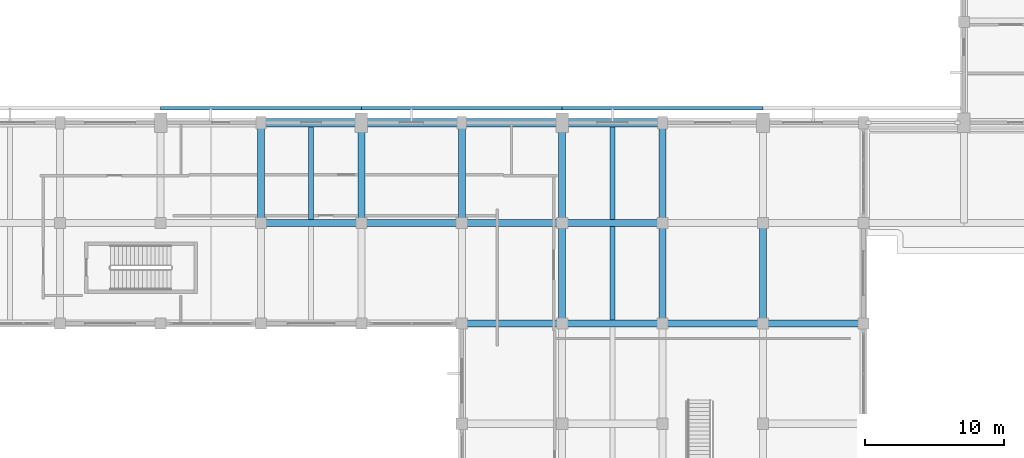
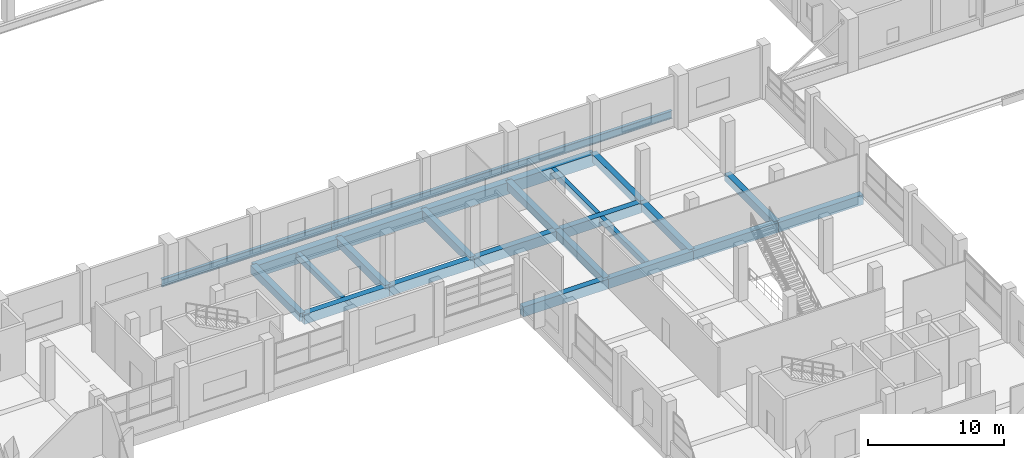
# One storey, part 70 of 140: 26 beams.
"""IFC4 building model written with IfcOpenShell, lengths in metres."""

from ifc_helpers import new_model, si_unit, direction, frame, origin, origin_2d, place, context, subcontext, project, spatial, rectangle, i_section, extrude, material, material_profile, profile_set, type_object, element, save


model = new_model("IFC4")

# Units and contexts
model_context = context("Model", 3, precision=1e-05, world=origin(), true_north=direction((0.0, 1.0)))
body_context = subcontext(model_context, "Body", "Model", "MODEL_VIEW")
ifc_project = project(units=[si_unit("LENGTHUNIT", "METRE"), si_unit("AREAUNIT", "SQUARE_METRE"), si_unit("VOLUMEUNIT", "CUBIC_METRE"), si_unit("PLANEANGLEUNIT", "RADIAN"), si_unit("MASSUNIT", "GRAM", prefix="KILO")], contexts=[model_context])

# Site, building, storey
site_placement = place(None, origin())
site = spatial("IfcSite", under=ifc_project, at=site_placement, CompositionType="ELEMENT")
building_placement = place(site_placement, origin())
building = spatial("IfcBuilding", under=site, at=building_placement, Name="Seraya Terrace Polytechnic", CompositionType="ELEMENT")
storey_placement = place(building_placement, frame((0.0, 0.0, 9.60009765625)))
storey = spatial("IfcBuildingStorey", under=building, at=storey_placement, Name="L02", CompositionType="ELEMENT", Elevation=9.60009765625)

# Beams
ifc_material_1 = material(Name="Concrete C40/50", Category="concrete")
ifc_material_profile_1 = material_profile(ifc_material_1, rectangle(XDim=0.60009765625, YDim=1.050048828125, at=origin_2d()), Name="RC 600x1050")
ifc_profile_set_1 = profile_set([ifc_material_profile_1], Name="Concrete C40/50")
beam_type_1 = type_object("IfcBeamType", Name="BM-01", PredefinedType="BEAM", material=ifc_profile_set_1)
for number, where, z_axis, x_axis, name in (
    (1, (64.800048828125, 79.199951171875, -0.525146484375), (1.0, 0.0, 0.0), (0.0, 1.0, 0.0), "Beam BM-01 L02 X (64.8..72.0, 79.2)"),
    (2, (72.0, 79.199951171875, -0.525146484375), (1.0, 0.0, 0.0), (0.0, 1.0, 0.0), "Beam BM-01 L02 X (72.0..79.2, 79.2)"),
    (3, (79.199951171875, 79.199951171875, -0.525146484375), (1.0, 0.0, 0.0), (0.0, 1.0, 0.0), "Beam BM-01 L02 X (79.2..86.4, 79.2)"),
):
    element("IfcBeam", number, at=place(storey_placement, frame(where, z_axis=z_axis, x_axis=x_axis)), inside=storey, type_object=beam_type_1, Name=name, PredefinedType="BEAM", context=body_context, shape_type="SweptSolid", body=[
        extrude(rectangle(XDim=0.60009765625, YDim=1.050048828125, at=origin_2d()), origin(), (0.0, 0.0, 1.0), 7.199951171875),
    ])
beam_1_placement = place(storey_placement, frame((86.39990234375, 79.199951171875, -0.525146484375), z_axis=(1.0, 0.0, 0.0), x_axis=(0.0, 1.0, 0.0)))
element("IfcBeam", 4, at=beam_1_placement, inside=storey, type_object=beam_type_1, Name="Beam BM-01 L02 X (86.4..93.6, 79.2)", PredefinedType="BEAM", context=body_context, shape_type="SweptSolid", body=[
    extrude(rectangle(XDim=0.60009765625, YDim=1.050048828125, at=origin_2d()), origin(), (0.0, 0.0, 1.0), 7.2001953125),
])
ifc_material_profile_2 = material_profile(ifc_material_1, rectangle(XDim=0.52001953125, YDim=0.8798828125, at=origin_2d()), Name="RC 520x880")
ifc_profile_set_2 = profile_set([ifc_material_profile_2], Name="Concrete C40/50")
beam_type_2 = type_object("IfcBeamType", Name="BM-04", PredefinedType="BEAM", material=ifc_profile_set_2)
beam_2_placement = place(storey_placement, frame((79.199951171875, 64.800048828125, -0.440185546875), z_axis=(1.0, 0.0, 0.0), x_axis=(0.0, 1.0, 0.0)))
element("IfcBeam", 5, at=beam_2_placement, inside=storey, type_object=beam_type_2, Name="Beam BM-04 L02 X (79.2..86.4, 64.8)", PredefinedType="BEAM", context=body_context, shape_type="SweptSolid", body=[
    extrude(rectangle(XDim=0.52001953125, YDim=0.8798828125, at=origin_2d()), origin(), (0.0, 0.0, 1.0), 7.199951171875),
])
beam_3_placement = place(storey_placement, frame((86.39990234375, 64.800048828125, -0.440185546875), z_axis=(1.0, 0.0, 0.0), x_axis=(0.0, 1.0, 0.0)))
element("IfcBeam", 6, at=beam_3_placement, inside=storey, type_object=beam_type_2, Name="Beam BM-04 L02 X (86.4..93.6, 64.8)", PredefinedType="BEAM", context=body_context, shape_type="SweptSolid", body=[
    extrude(rectangle(XDim=0.52001953125, YDim=0.8798828125, at=origin_2d()), origin(), (0.0, 0.0, 1.0), 7.2001953125),
])
for number, where, z_axis, x_axis, name in (
    (7, (93.60009765625, 64.800048828125, -0.440185546875), (1.0, 0.0, 0.0), (0.0, 1.0, 0.0), "Beam BM-04 L02 X (93.6..100.8, 64.8)"),
    (8, (100.800048828125, 64.800048828125, -0.440185546875), (1.0, 0.0, 0.0), (0.0, 1.0, 0.0), "Beam BM-04 L02 X (100.8..108.0, 64.8)"),
    (9, (64.800048828125, 72.0, -0.440185546875), (1.0, 0.0, 0.0), (0.0, 1.0, 0.0), "Beam BM-04 L02 X (64.8..72.0, 72.0)"),
    (10, (72.0, 72.0, -0.440185546875), (1.0, 0.0, 0.0), (0.0, 1.0, 0.0), "Beam BM-04 L02 X (72.0..79.2, 72.0)"),
    (11, (79.199951171875, 72.0, -0.440185546875), (1.0, 0.0, 0.0), (0.0, 1.0, 0.0), "Beam BM-04 L02 X (79.2..86.4, 72.0)"),
):
    element("IfcBeam", number, at=place(storey_placement, frame(where, z_axis=z_axis, x_axis=x_axis)), inside=storey, type_object=beam_type_2, Name=name, PredefinedType="BEAM", context=body_context, shape_type="SweptSolid", body=[
        extrude(rectangle(XDim=0.52001953125, YDim=0.8798828125, at=origin_2d()), origin(), (0.0, 0.0, 1.0), 7.199951171875),
    ])
beam_4_placement = place(storey_placement, frame((86.39990234375, 72.0, -0.440185546875), z_axis=(1.0, 0.0, 0.0), x_axis=(0.0, 1.0, 0.0)))
element("IfcBeam", 12, at=beam_4_placement, inside=storey, type_object=beam_type_2, Name="Beam BM-04 L02 X (86.4..93.6, 72.0)", PredefinedType="BEAM", context=body_context, shape_type="SweptSolid", body=[
    extrude(rectangle(XDim=0.52001953125, YDim=0.8798828125, at=origin_2d()), origin(), (0.0, 0.0, 1.0), 7.2001953125),
])
ifc_material_profile_3 = material_profile(ifc_material_1, rectangle(XDim=0.5, YDim=0.699951171875, at=origin_2d()), Name="RC 500x700")
ifc_profile_set_3 = profile_set([ifc_material_profile_3], Name="Concrete C40/50")
beam_type_3 = type_object("IfcBeamType", Name="BM-07", PredefinedType="BEAM", material=ifc_profile_set_3)
for number, where, z_axis, x_axis, name in (
    (13, (64.800048828125, 72.0, -0.35009765625), (0.0, 1.0, 0.0), (-1.0, 0.0, 0.0), "Beam BM-07 L02 Y (64.8, 72.0..79.2)"),
    (14, (72.0, 72.0, -0.35009765625), (0.0, 1.0, 0.0), (-1.0, 0.0, 0.0), "Beam BM-07 L02 Y (72.0, 72.0..79.2)"),
    (15, (79.199951171875, 72.0, -0.35009765625), (0.0, 1.0, 0.0), (-1.0, 0.0, 0.0), "Beam BM-07 L02 Y (79.2, 72.0..79.2)"),
    (16, (86.39990234375, 64.800048828125, -0.35009765625), (0.0, 1.0, 0.0), (-1.0, 0.0, 0.0), "Beam BM-07 L02 Y (86.4, 64.8..72.0)"),
    (17, (86.39990234375, 72.0, -0.35009765625), (0.0, 1.0, 0.0), (-1.0, 0.0, 0.0), "Beam BM-07 L02 Y (86.4, 72.0..79.2)"),
    (18, (93.60009765625, 64.800048828125, -0.35009765625), (0.0, 1.0, 0.0), (-1.0, 0.0, 0.0), "Beam BM-07 L02 Y (93.6, 64.8..72.0)"),
    (19, (93.60009765625, 72.0, -0.35009765625), (0.0, 1.0, 0.0), (-1.0, 0.0, 0.0), "Beam BM-07 L02 Y (93.6, 72.0..79.2)"),
    (20, (100.800048828125, 64.800048828125, -0.35009765625), (0.0, 1.0, 0.0), (-1.0, 0.0, 0.0), "Beam BM-07 L02 Y (100.8, 64.8..72.0)"),
):
    element("IfcBeam", number, at=place(storey_placement, frame(where, z_axis=z_axis, x_axis=x_axis)), inside=storey, type_object=beam_type_3, Name=name, PredefinedType="BEAM", context=body_context, shape_type="SweptSolid", body=[
        extrude(rectangle(XDim=0.5, YDim=0.699951171875, at=origin_2d()), origin(), (0.0, 0.0, 1.0), 7.199951171875),
    ])
ifc_material_2 = material(Name="Steel S355J2", Category="steel")
ifc_material_profile_4 = material_profile(ifc_material_2, i_section(OverallWidth=0.25390625, OverallDepth=0.68603515625, WebThickness=0.014404296875, FlangeThickness=0.023681640625, at=origin_2d()), Name="UKB 686x254x14.5x23.7")
ifc_profile_set_4 = profile_set([ifc_material_profile_4], Name="Steel S355J2")
beam_type_4 = type_object("IfcBeamType", Name="CRB-01", PredefinedType="USERDEFINED", material=ifc_profile_set_4)
for number, where, z_axis, x_axis, name in (
    (21, (57.60009765625, 80.219970703125, 0.2568359375), (1.0, 0.0, 0.0), (0.0, 1.0, 0.0), "Crane runway girder CRB-01 bay 3 (S)"),
    (22, (72.0, 80.219970703125, 0.2568359375), (1.0, 0.0, 0.0), (0.0, 1.0, 0.0), "Crane runway girder CRB-01 bay 4 (S)"),
):
    element("IfcBeam", number, at=place(storey_placement, frame(where, z_axis=z_axis, x_axis=x_axis)), inside=storey, type_object=beam_type_4, Name=name, ObjectType="CRANE_RUNWAY_BEAM", PredefinedType="USERDEFINED", context=body_context, shape_type="SweptSolid", body=[
        extrude(i_section(OverallWidth=0.25390625, OverallDepth=0.68603515625, WebThickness=0.014404296875, FlangeThickness=0.023681640625, at=origin_2d()), origin(), (0.0, 0.0, 1.0), 14.39990234375),
    ])
beam_5_placement = place(storey_placement, frame((86.39990234375, 80.219970703125, 0.2568359375), z_axis=(1.0, 0.0, 0.0), x_axis=(0.0, 1.0, 0.0)))
element("IfcBeam", 23, at=beam_5_placement, inside=storey, type_object=beam_type_4, Name="Crane runway girder CRB-01 bay 5 (S)", ObjectType="CRANE_RUNWAY_BEAM", PredefinedType="USERDEFINED", context=body_context, shape_type="SweptSolid", body=[
    extrude(i_section(OverallWidth=0.25390625, OverallDepth=0.68603515625, WebThickness=0.014404296875, FlangeThickness=0.023681640625, at=origin_2d()), origin(), (0.0, 0.0, 1.0), 14.400146484375),
])
ifc_material_profile_5 = material_profile(ifc_material_1, rectangle(XDim=0.35009765625, YDim=0.5, at=origin_2d()), Name="RC 350x500")
ifc_profile_set_5 = profile_set([ifc_material_profile_5], Name="Concrete C40/50")
beam_type_5 = type_object("IfcBeamType", Name="JS-03", PredefinedType="JOIST", material=ifc_profile_set_5)
beam_6_placement = place(storey_placement, frame((68.39990234375, 72.260009765625, -0.25), z_axis=(0.0, 1.0, 0.0), x_axis=(-1.0, 0.0, 0.0)))
element("IfcBeam", 24, at=beam_6_placement, inside=storey, type_object=beam_type_5, Name="Secondary joist JS-03 L02", PredefinedType="JOIST", context=body_context, shape_type="SweptSolid", body=[
    extrude(rectangle(XDim=0.35009765625, YDim=0.5, at=origin_2d()), origin(), (0.0, 0.0, 1.0), 6.639892578125),
])
beam_7_placement = place(storey_placement, frame((90.0, 65.06005859375, -0.25), z_axis=(0.0, 1.0, 0.0), x_axis=(-1.0, 0.0, 0.0)))
element("IfcBeam", 25, at=beam_7_placement, inside=storey, type_object=beam_type_5, Name="Secondary joist JS-03 L02", PredefinedType="JOIST", context=body_context, shape_type="SweptSolid", body=[
    extrude(rectangle(XDim=0.35009765625, YDim=0.5, at=origin_2d()), origin(), (0.0, 0.0, 1.0), 6.679931640625),
])
beam_8_placement = place(storey_placement, frame((90.0, 72.260009765625, -0.25), z_axis=(0.0, 1.0, 0.0), x_axis=(-1.0, 0.0, 0.0)))
element("IfcBeam", 26, at=beam_8_placement, inside=storey, type_object=beam_type_5, Name="Secondary joist JS-03 L02", PredefinedType="JOIST", context=body_context, shape_type="SweptSolid", body=[
    extrude(rectangle(XDim=0.35009765625, YDim=0.5, at=origin_2d()), origin(), (0.0, 0.0, 1.0), 6.639892578125),
])

save(model, "model.ifc")
